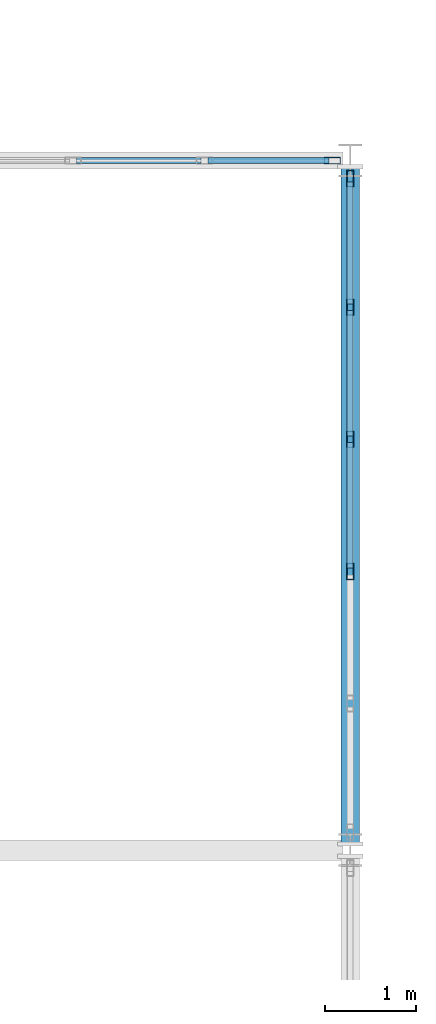
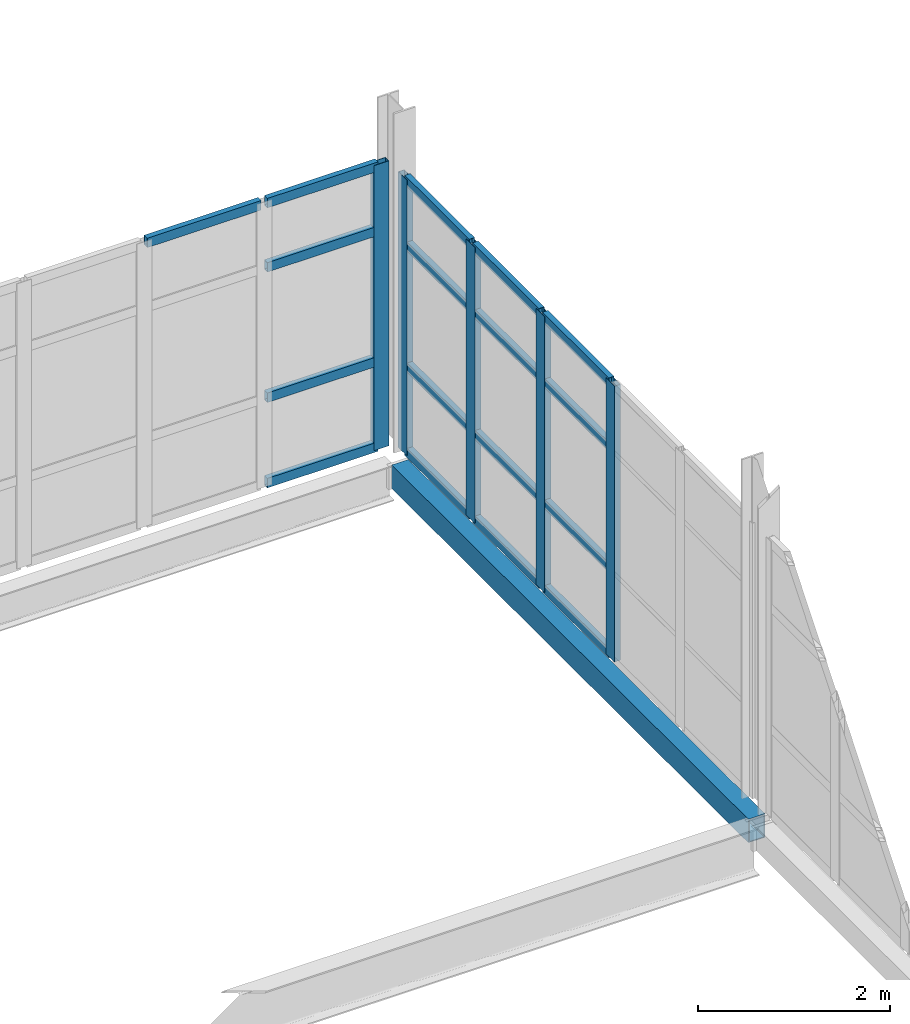
# One storey, part 62 of 174: 22 members, 1 beam, 2 elements without a shape of their own.
"""IFC4 building model written with IfcOpenShell, lengths in metres."""

from ifc_helpers import new_model, si_unit, direction, frame, origin, origin_2d, place, context, subcontext, project, spatial, hollow_rectangle, extrude, material, material_profile, profile_set, type_object, element, aggregate, save


model = new_model("IFC4")

# Units and contexts
model_context = context("Model", 3, precision=1e-05, world=origin(), true_north=direction((0.0, 1.0)))
body_context = subcontext(model_context, "Body", "Model", "MODEL_VIEW")
ifc_project = project(units=[si_unit("LENGTHUNIT", "METRE"), si_unit("AREAUNIT", "SQUARE_METRE"), si_unit("VOLUMEUNIT", "CUBIC_METRE"), si_unit("PLANEANGLEUNIT", "RADIAN"), si_unit("MASSUNIT", "GRAM", prefix="KILO")], contexts=[model_context])

# Site, building, storey
site_placement = place(None, origin())
site = spatial("IfcSite", under=ifc_project, at=site_placement, CompositionType="ELEMENT")
building_placement = place(site_placement, origin())
building = spatial("IfcBuilding", under=site, at=building_placement, Name="Caisbarro Railhouse Central Library", CompositionType="ELEMENT")
storey_placement = place(building_placement, frame((0.0, 0.0, 5.0400390625)))
storey = spatial("IfcBuildingStorey", under=building, at=storey_placement, Name="L01", CompositionType="ELEMENT", Elevation=5.0400390625)

# Beam
ifc_material_1 = material(Name="Steel ASTM A572 Grade 50", Category="steel")
ifc_material_profile_1 = material_profile(ifc_material_1, hollow_rectangle(XDim=0.199951171875, YDim=0.300048828125, WallThickness=0.012451171875, at=origin_2d()), Name="HSS300X200X12.5")
ifc_profile_set_1 = profile_set([ifc_material_profile_1], Name="Steel ASTM A572 Grade 50")
beam_type = type_object("IfcBeamType", Name="BM-SP02", PredefinedType="SPANDREL", material=ifc_profile_set_1)
beam_placement = place(storey_placement, frame((72.0, 53.280029296875, -0.3701171875), z_axis=(0.0, 1.0, 0.0), x_axis=(-1.0, 0.0, 0.0)))
element("IfcBeam", 1, at=beam_placement, inside=storey, type_object=beam_type, Name="SP02 beam L01 #856", PredefinedType="SPANDREL", context=body_context, shape_type="SweptSolid", body=[
    extrude(hollow_rectangle(XDim=0.199951171875, YDim=0.300048828125, WallThickness=0.012451171875, at=origin_2d()), origin(), (0.0, 0.0, 1.0), 7.43994140625),
])

# Curtain wall, member
ifc_material_2 = material(Name="Anodised architectural aluminium", Category="aluminium")
curtain_wall_type = type_object("IfcCurtainWallType", Name="CW-CW02", PredefinedType="NOTDEFINED", material=ifc_material_2)
curtain_wall_1_placement = place(storey_placement, origin())
curtain_wall_1 = element("IfcCurtainWall", 2, at=curtain_wall_1_placement, inside=storey, type_object=curtain_wall_type, Name="CW02 curtain wall L01 #19", PredefinedType="NOTDEFINED")
ifc_material_profile_2 = material_profile(ifc_material_2, hollow_rectangle(XDim=0.074951171875, YDim=0.179931640625, WallThickness=0.00439453125, at=origin_2d()), Name="ALU-MUL-75X180")
ifc_profile_set_2 = profile_set([ifc_material_profile_2], Name="Anodised architectural aluminium")
member_type_1 = type_object("IfcMemberType", Name="CWM-M01", PredefinedType="MULLION", material=ifc_profile_set_2)
member_1_placement = place(storey_placement, frame((71.802490234375, 60.800048828125, 0.0), z_axis=(0.0, 0.0, 1.0), x_axis=(0.0, 1.0, 0.0)))
member_1 = element("IfcMember", 3, at=member_1_placement, type_object=member_type_1, Name="CW02 mullion 7", PredefinedType="MULLION", context=body_context, shape_type="SweptSolid", body=[
    extrude(hollow_rectangle(XDim=0.074951171875, YDim=0.179931640625, WallThickness=0.00439453125, at=origin_2d()), origin(), (0.0, 0.0, 1.0), 3.6298828125),
])

# Curtain wall, members
curtain_wall_2_placement = place(storey_placement, origin())
curtain_wall_2 = element("IfcCurtainWall", 4, at=curtain_wall_2_placement, inside=storey, type_object=curtain_wall_type, Name="CW02 curtain wall L01 #33", PredefinedType="NOTDEFINED")
member_2_placement = place(storey_placement, frame((72.0, 56.27197265625, 0.0), z_axis=(0.0, 0.0, 1.0), x_axis=(-1.0, 0.0, 0.0)))
member_2 = element("IfcMember", 5, at=member_2_placement, type_object=member_type_1, Name="CW02 mullion 3", PredefinedType="MULLION", context=body_context, shape_type="SweptSolid", body=[
    extrude(hollow_rectangle(XDim=0.074951171875, YDim=0.179931640625, WallThickness=0.00439453125, at=origin_2d()), origin(), (0.0, 0.0, 1.0), 3.510009765625),
])
member_3_placement = place(storey_placement, frame((72.0, 57.72802734375, 0.0), z_axis=(0.0, 0.0, 1.0), x_axis=(-1.0, 0.0, 0.0)))
member_3 = element("IfcMember", 6, at=member_3_placement, type_object=member_type_1, Name="CW02 mullion 4", PredefinedType="MULLION", context=body_context, shape_type="SweptSolid", body=[
    extrude(hollow_rectangle(XDim=0.074951171875, YDim=0.179931640625, WallThickness=0.00439453125, at=origin_2d()), origin(), (0.0, 0.0, 1.0), 3.510009765625),
])
member_4_placement = place(storey_placement, frame((72.0, 59.18408203125, 0.0), z_axis=(0.0, 0.0, 1.0), x_axis=(-1.0, 0.0, 0.0)))
member_4 = element("IfcMember", 7, at=member_4_placement, type_object=member_type_1, Name="CW02 mullion 5", PredefinedType="MULLION", context=body_context, shape_type="SweptSolid", body=[
    extrude(hollow_rectangle(XDim=0.074951171875, YDim=0.179931640625, WallThickness=0.00439453125, at=origin_2d()), origin(), (0.0, 0.0, 1.0), 3.510009765625),
])
member_5_placement = place(storey_placement, frame((72.0, 60.6025390625, 0.0), z_axis=(0.0, 0.0, 1.0), x_axis=(-1.0, 0.0, 0.0)))
member_5 = element("IfcMember", 8, at=member_5_placement, type_object=member_type_1, Name="CW02 mullion 6", PredefinedType="MULLION", context=body_context, shape_type="SweptSolid", body=[
    extrude(hollow_rectangle(XDim=0.074951171875, YDim=0.179931640625, WallThickness=0.00439453125, at=origin_2d()), origin(), (0.0, 0.0, 1.0), 3.510009765625),
])

# Member
ifc_material_profile_3 = material_profile(ifc_material_2, hollow_rectangle(XDim=0.06494140625, YDim=0.1201171875, WallThickness=0.00341796875, at=origin_2d()), Name="ALU-TRN-65X120")
ifc_profile_set_3 = profile_set([ifc_material_profile_3], Name="Anodised architectural aluminium")
member_type_2 = type_object("IfcMemberType", Name="CWT-T02", PredefinedType="USERDEFINED", material=ifc_profile_set_3)
member_6_placement = place(storey_placement, frame((68.984130859375, 60.800048828125, 3.597412109375), z_axis=(1.0, 0.0, 0.0), x_axis=(0.0, 1.0, 0.0)))
member_6 = element("IfcMember", 9, at=member_6_placement, type_object=member_type_2, Name="CW02 transom 5.4", ObjectType="TRANSOM", PredefinedType="USERDEFINED", context=body_context, shape_type="SweptSolid", body=[
    extrude(hollow_rectangle(XDim=0.06494140625, YDim=0.1201171875, WallThickness=0.00341796875, at=origin_2d()), origin(), (0.0, 0.0, 1.0), 1.37158203125),
])

member_7_placement = place(storey_placement, frame((70.430908203125, 60.800048828125, 0.032470703125), z_axis=(1.0, 0.0, 0.0), x_axis=(0.0, 1.0, 0.0)))
member_7 = element("IfcMember", 10, at=member_7_placement, type_object=member_type_2, Name="CW02 transom 6.1", ObjectType="TRANSOM", PredefinedType="USERDEFINED", context=body_context, shape_type="SweptSolid", body=[
    extrude(hollow_rectangle(XDim=0.06494140625, YDim=0.1201171875, WallThickness=0.00341796875, at=origin_2d()), origin(), (0.0, 0.0, 1.0), 1.333984375),
])

member_8_placement = place(storey_placement, frame((70.430908203125, 60.800048828125, 1.119873046875), z_axis=(1.0, 0.0, 0.0), x_axis=(0.0, 1.0, 0.0)))
member_8 = element("IfcMember", 11, at=member_8_placement, type_object=member_type_2, Name="CW02 transom 6.2", ObjectType="TRANSOM", PredefinedType="USERDEFINED", context=body_context, shape_type="SweptSolid", body=[
    extrude(hollow_rectangle(XDim=0.06494140625, YDim=0.1201171875, WallThickness=0.00341796875, at=origin_2d()), origin(), (0.0, 0.0, 1.0), 1.333984375),
])

member_9_placement = place(storey_placement, frame((70.430908203125, 60.800048828125, 2.780029296875), z_axis=(1.0, 0.0, 0.0), x_axis=(0.0, 1.0, 0.0)))
member_9 = element("IfcMember", 12, at=member_9_placement, type_object=member_type_2, Name="CW02 transom 6.3", ObjectType="TRANSOM", PredefinedType="USERDEFINED", context=body_context, shape_type="SweptSolid", body=[
    extrude(hollow_rectangle(XDim=0.06494140625, YDim=0.1201171875, WallThickness=0.00341796875, at=origin_2d()), origin(), (0.0, 0.0, 1.0), 1.333984375),
])

member_10_placement = place(storey_placement, frame((70.430908203125, 60.800048828125, 3.597412109375), z_axis=(1.0, 0.0, 0.0), x_axis=(0.0, 1.0, 0.0)))
member_10 = element("IfcMember", 13, at=member_10_placement, type_object=member_type_2, Name="CW02 transom 6.4", ObjectType="TRANSOM", PredefinedType="USERDEFINED", context=body_context, shape_type="SweptSolid", body=[
    extrude(hollow_rectangle(XDim=0.06494140625, YDim=0.1201171875, WallThickness=0.00341796875, at=origin_2d()), origin(), (0.0, 0.0, 1.0), 1.333984375),
])

aggregate(curtain_wall_1, [member_1, member_6, member_7, member_8, member_9, member_10])

member_11_placement = place(storey_placement, frame((72.0, 56.3095703125, 0.032470703125), z_axis=(0.0, 1.0, 0.0), x_axis=(-1.0, 0.0, 0.0)))
member_11 = element("IfcMember", 14, at=member_11_placement, type_object=member_type_2, Name="CW02 transom 3.1", ObjectType="TRANSOM", PredefinedType="USERDEFINED", context=body_context, shape_type="SweptSolid", body=[
    extrude(hollow_rectangle(XDim=0.06494140625, YDim=0.1201171875, WallThickness=0.00341796875, at=origin_2d()), origin(), (0.0, 0.0, 1.0), 1.380859375),
])

member_12_placement = place(storey_placement, frame((72.0, 56.3095703125, 1.119873046875), z_axis=(0.0, 1.0, 0.0), x_axis=(-1.0, 0.0, 0.0)))
member_12 = element("IfcMember", 15, at=member_12_placement, type_object=member_type_2, Name="CW02 transom 3.2", ObjectType="TRANSOM", PredefinedType="USERDEFINED", context=body_context, shape_type="SweptSolid", body=[
    extrude(hollow_rectangle(XDim=0.06494140625, YDim=0.1201171875, WallThickness=0.00341796875, at=origin_2d()), origin(), (0.0, 0.0, 1.0), 1.380859375),
])

member_13_placement = place(storey_placement, frame((72.0, 56.3095703125, 2.659912109375), z_axis=(0.0, 1.0, 0.0), x_axis=(-1.0, 0.0, 0.0)))
member_13 = element("IfcMember", 16, at=member_13_placement, type_object=member_type_2, Name="CW02 transom 3.3", ObjectType="TRANSOM", PredefinedType="USERDEFINED", context=body_context, shape_type="SweptSolid", body=[
    extrude(hollow_rectangle(XDim=0.06494140625, YDim=0.1201171875, WallThickness=0.00341796875, at=origin_2d()), origin(), (0.0, 0.0, 1.0), 1.380859375),
])

member_14_placement = place(storey_placement, frame((72.0, 56.3095703125, 3.4775390625), z_axis=(0.0, 1.0, 0.0), x_axis=(-1.0, 0.0, 0.0)))
member_14 = element("IfcMember", 17, at=member_14_placement, type_object=member_type_2, Name="CW02 transom 3.4", ObjectType="TRANSOM", PredefinedType="USERDEFINED", context=body_context, shape_type="SweptSolid", body=[
    extrude(hollow_rectangle(XDim=0.06494140625, YDim=0.1201171875, WallThickness=0.00341796875, at=origin_2d()), origin(), (0.0, 0.0, 1.0), 1.380859375),
])

member_15_placement = place(storey_placement, frame((72.0, 57.765380859375, 0.032470703125), z_axis=(0.0, 1.0, 0.0), x_axis=(-1.0, 0.0, 0.0)))
member_15 = element("IfcMember", 18, at=member_15_placement, type_object=member_type_2, Name="CW02 transom 4.1", ObjectType="TRANSOM", PredefinedType="USERDEFINED", context=body_context, shape_type="SweptSolid", body=[
    extrude(hollow_rectangle(XDim=0.06494140625, YDim=0.1201171875, WallThickness=0.00341796875, at=origin_2d()), origin(), (0.0, 0.0, 1.0), 1.381103515625),
])

member_16_placement = place(storey_placement, frame((72.0, 57.765380859375, 1.119873046875), z_axis=(0.0, 1.0, 0.0), x_axis=(-1.0, 0.0, 0.0)))
member_16 = element("IfcMember", 19, at=member_16_placement, type_object=member_type_2, Name="CW02 transom 4.2", ObjectType="TRANSOM", PredefinedType="USERDEFINED", context=body_context, shape_type="SweptSolid", body=[
    extrude(hollow_rectangle(XDim=0.06494140625, YDim=0.1201171875, WallThickness=0.00341796875, at=origin_2d()), origin(), (0.0, 0.0, 1.0), 1.381103515625),
])

member_17_placement = place(storey_placement, frame((72.0, 57.765380859375, 2.659912109375), z_axis=(0.0, 1.0, 0.0), x_axis=(-1.0, 0.0, 0.0)))
member_17 = element("IfcMember", 20, at=member_17_placement, type_object=member_type_2, Name="CW02 transom 4.3", ObjectType="TRANSOM", PredefinedType="USERDEFINED", context=body_context, shape_type="SweptSolid", body=[
    extrude(hollow_rectangle(XDim=0.06494140625, YDim=0.1201171875, WallThickness=0.00341796875, at=origin_2d()), origin(), (0.0, 0.0, 1.0), 1.381103515625),
])

member_18_placement = place(storey_placement, frame((72.0, 57.765380859375, 3.4775390625), z_axis=(0.0, 1.0, 0.0), x_axis=(-1.0, 0.0, 0.0)))
member_18 = element("IfcMember", 21, at=member_18_placement, type_object=member_type_2, Name="CW02 transom 4.4", ObjectType="TRANSOM", PredefinedType="USERDEFINED", context=body_context, shape_type="SweptSolid", body=[
    extrude(hollow_rectangle(XDim=0.06494140625, YDim=0.1201171875, WallThickness=0.00341796875, at=origin_2d()), origin(), (0.0, 0.0, 1.0), 1.381103515625),
])

member_19_placement = place(storey_placement, frame((72.0, 59.221435546875, 0.032470703125), z_axis=(0.0, 1.0, 0.0), x_axis=(-1.0, 0.0, 0.0)))
member_19 = element("IfcMember", 22, at=member_19_placement, type_object=member_type_2, Name="CW02 transom 5.1", ObjectType="TRANSOM", PredefinedType="USERDEFINED", context=body_context, shape_type="SweptSolid", body=[
    extrude(hollow_rectangle(XDim=0.06494140625, YDim=0.1201171875, WallThickness=0.00341796875, at=origin_2d()), origin(), (0.0, 0.0, 1.0), 1.343505859375),
])

member_20_placement = place(storey_placement, frame((72.0, 59.221435546875, 1.119873046875), z_axis=(0.0, 1.0, 0.0), x_axis=(-1.0, 0.0, 0.0)))
member_20 = element("IfcMember", 23, at=member_20_placement, type_object=member_type_2, Name="CW02 transom 5.2", ObjectType="TRANSOM", PredefinedType="USERDEFINED", context=body_context, shape_type="SweptSolid", body=[
    extrude(hollow_rectangle(XDim=0.06494140625, YDim=0.1201171875, WallThickness=0.00341796875, at=origin_2d()), origin(), (0.0, 0.0, 1.0), 1.343505859375),
])

member_21_placement = place(storey_placement, frame((72.0, 59.221435546875, 2.659912109375), z_axis=(0.0, 1.0, 0.0), x_axis=(-1.0, 0.0, 0.0)))
member_21 = element("IfcMember", 24, at=member_21_placement, type_object=member_type_2, Name="CW02 transom 5.3", ObjectType="TRANSOM", PredefinedType="USERDEFINED", context=body_context, shape_type="SweptSolid", body=[
    extrude(hollow_rectangle(XDim=0.06494140625, YDim=0.1201171875, WallThickness=0.00341796875, at=origin_2d()), origin(), (0.0, 0.0, 1.0), 1.343505859375),
])

member_22_placement = place(storey_placement, frame((72.0, 59.221435546875, 3.4775390625), z_axis=(0.0, 1.0, 0.0), x_axis=(-1.0, 0.0, 0.0)))
member_22 = element("IfcMember", 25, at=member_22_placement, type_object=member_type_2, Name="CW02 transom 5.4", ObjectType="TRANSOM", PredefinedType="USERDEFINED", context=body_context, shape_type="SweptSolid", body=[
    extrude(hollow_rectangle(XDim=0.06494140625, YDim=0.1201171875, WallThickness=0.00341796875, at=origin_2d()), origin(), (0.0, 0.0, 1.0), 1.343505859375),
])

aggregate(curtain_wall_2, [member_2, member_3, member_4, member_5, member_11, member_12, member_13, member_14, member_15, member_16, member_17, member_18, member_19, member_20, member_21, member_22])

save(model, "model.ifc")
